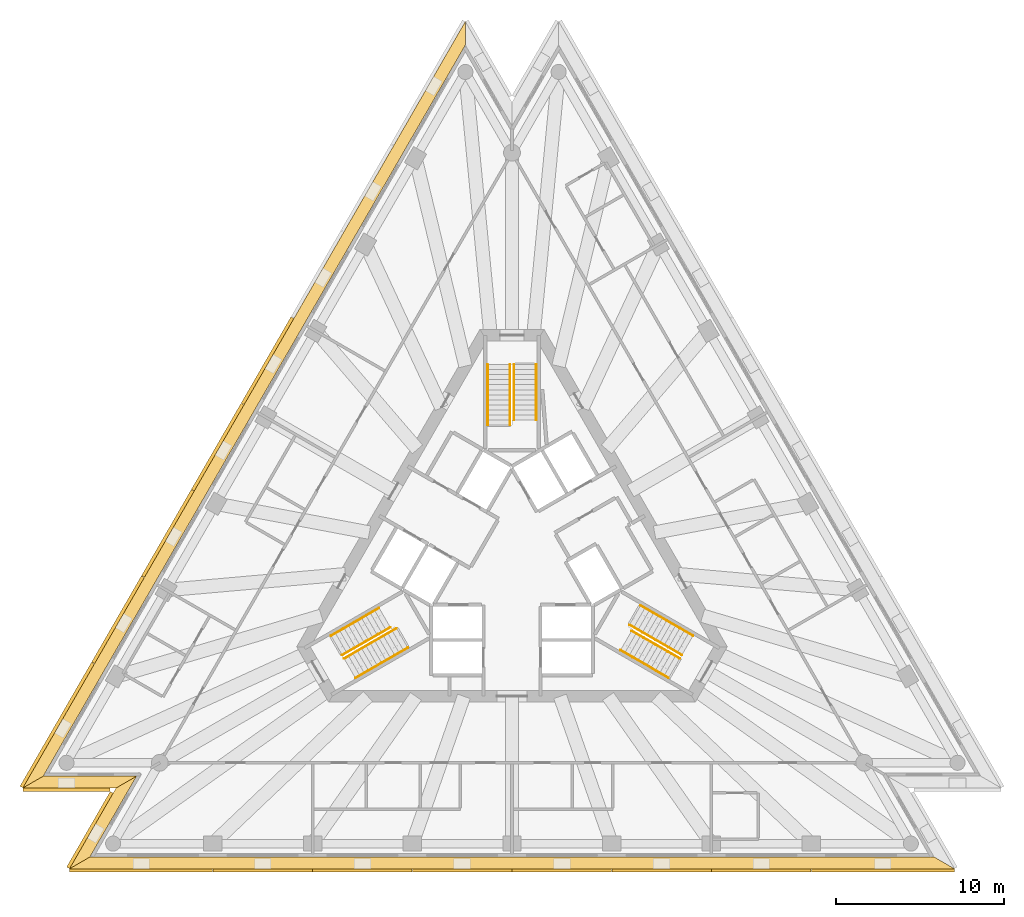
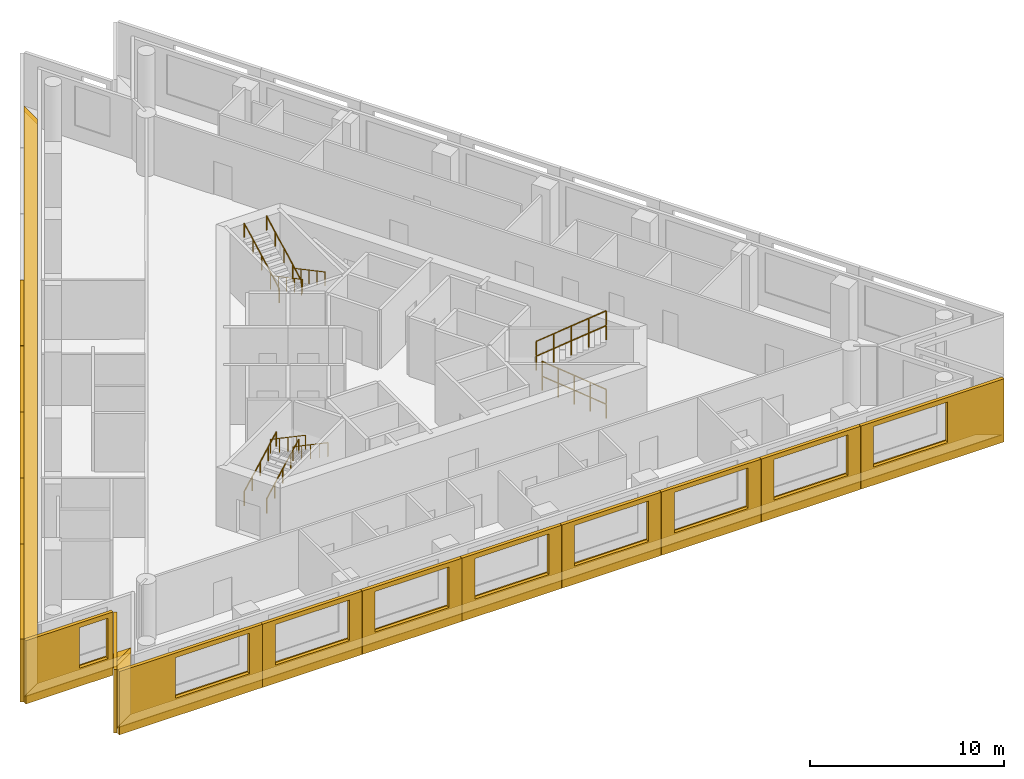
# One storey, part 8 of 9: 19 shading devices, 12 railings, 4 coverings, 3 elements without a shape of their own.
"""IFC4 building model written with IfcOpenShell, lengths in metres."""

from ifc_helpers import new_model, si_unit, direction, frame, origin, origin_2d, place, context, subcontext, project, spatial, polyline, circle, outline, extrude, material, layer, layer_set, layer_usage, type_object, element, aggregate, save


model = new_model("IFC4")

# Units and contexts
model_context = context("Model", 3, precision=1e-05, world=origin(), true_north=direction((0.0, 1.0)))
body_context = subcontext(model_context, "Body", "Model", "MODEL_VIEW")
ifc_project = project(units=[si_unit("LENGTHUNIT", "METRE"), si_unit("AREAUNIT", "SQUARE_METRE"), si_unit("VOLUMEUNIT", "CUBIC_METRE"), si_unit("PLANEANGLEUNIT", "RADIAN"), si_unit("MASSUNIT", "GRAM", prefix="KILO")], contexts=[model_context])

# Site, building, storey
site_placement = place(None, origin())
site = spatial("IfcSite", under=ifc_project, at=site_placement, CompositionType="ELEMENT")
building_placement = place(site_placement, origin())
building = spatial("IfcBuilding", under=site, at=building_placement, Name="Triada Interchange Tower", CompositionType="ELEMENT")
storey_placement = place(building_placement, frame((0.0, 0.0, 235.300048828125)))
storey = spatial("IfcBuildingStorey", under=building, at=storey_placement, Name="L55", CompositionType="ELEMENT", Elevation=235.300048828125)

# Coverings
ifc_material_1 = material(Name="Mineral fire-stop board")
ifc_layer_1 = layer(ifc_material_1, 0.0400390625, Name="Mineral fire-stop board")
ifc_material_2 = material(Name="Intumescent sealant")
ifc_layer_2 = layer(ifc_material_2, 0.010009765625, Name="Intumescent seal")
ifc_layer_set_1 = layer_set([ifc_layer_1, ifc_layer_2], Name="Cavity fire stop")
ifc_layer_usage = layer_usage(ifc_layer_set_1, "AXIS3", "POSITIVE", 0.0)
covering_type = type_object("IfcCoveringType", Name="Cavity fire stop", PredefinedType="INSULATION", material=ifc_layer_set_1)
covering_1_placement = place(storey_placement, origin())
element("IfcCovering", 1, at=covering_1_placement, inside=storey, type_object=covering_type, material=ifc_layer_usage, Name="Cavity fire stop L55 NW", PredefinedType="INSULATION", context=body_context, shape_type="SweptSolid", body=[
    extrude(outline(polyline([(-2.777099609375, 30.623046875), (-2.777099609375, 32.02294921875), (-29.1220703125, -13.60595703125), (-27.909912109375, -12.906005859375), (-2.777099609375, 30.623046875)])), origin(), (0.0, 0.0, 1.0), 0.050048828125),
])
covering_2_placement = place(storey_placement, origin())
element("IfcCovering", 2, at=covering_2_placement, inside=storey, type_object=covering_type, material=ifc_layer_usage, Name="Cavity fire stop L55 SW-1", PredefinedType="INSULATION", context=body_context, shape_type="SweptSolid", body=[
    extrude(outline(polyline([(-27.909912109375, -12.906005859375), (-29.1220703125, -13.60595703125), (-23.56689453125, -13.60595703125), (-22.35498046875, -12.906005859375), (-27.909912109375, -12.906005859375)])), origin(), (0.0, 0.0, 1.0), 0.050048828125),
])
covering_3_placement = place(storey_placement, origin())
element("IfcCovering", 3, at=covering_3_placement, inside=storey, type_object=covering_type, material=ifc_layer_usage, Name="Cavity fire stop L55 SW-2", PredefinedType="INSULATION", context=body_context, shape_type="SweptSolid", body=[
    extrude(outline(polyline([(-22.35498046875, -12.906005859375), (-23.56689453125, -13.60595703125), (-26.343994140625, -18.4169921875), (-25.132080078125, -17.717041015625), (-22.35498046875, -12.906005859375)])), origin(), (0.0, 0.0, 1.0), 0.050048828125),
])
covering_4_placement = place(storey_placement, origin())
element("IfcCovering", 4, at=covering_4_placement, inside=storey, type_object=covering_type, material=ifc_layer_usage, Name="Cavity fire stop L55 S", PredefinedType="INSULATION", context=body_context, shape_type="SweptSolid", body=[
    extrude(outline(polyline([(-25.132080078125, -17.717041015625), (-26.343994140625, -18.4169921875), (26.343994140625, -18.4169921875), (25.132080078125, -17.717041015625), (-25.132080078125, -17.717041015625)])), origin(), (0.0, 0.0, 1.0), 0.050048828125),
])

# Shading devices
ifc_material_3 = material(Name="Aluminium louvre", Category="aluminium")
shading_device_type_1 = type_object("IfcShadingDeviceType", Name="Cavity louvre grille", PredefinedType="JALOUSIE", material=ifc_material_3)
shading_device_1_placement = place(storey_placement, frame((0.0, 0.0, 0.050048828125)))
element("IfcShadingDevice", 5, at=shading_device_1_placement, inside=storey, type_object=shading_device_type_1, Name="Cavity louvre grille L55 NW", PredefinedType="JALOUSIE", context=body_context, shape_type="SweptSolid", body=[
    extrude(outline(polyline([(-2.777099609375, 30.623046875), (-2.777099609375, 32.02294921875), (-29.1220703125, -13.60595703125), (-27.909912109375, -12.906005859375), (-2.777099609375, 30.623046875)])), origin(), (0.0, 0.0, 1.0), 0.2998046875),
])
shading_device_2_placement = place(storey_placement, frame((0.0, 0.0, 0.050048828125)))
element("IfcShadingDevice", 6, at=shading_device_2_placement, inside=storey, type_object=shading_device_type_1, Name="Cavity louvre grille L55 SW-1", PredefinedType="JALOUSIE", context=body_context, shape_type="SweptSolid", body=[
    extrude(outline(polyline([(-27.909912109375, -12.906005859375), (-29.1220703125, -13.60595703125), (-23.56689453125, -13.60595703125), (-22.35498046875, -12.906005859375), (-27.909912109375, -12.906005859375)])), origin(), (0.0, 0.0, 1.0), 0.2998046875),
])
shading_device_3_placement = place(storey_placement, frame((0.0, 0.0, 0.050048828125)))
element("IfcShadingDevice", 7, at=shading_device_3_placement, inside=storey, type_object=shading_device_type_1, Name="Cavity louvre grille L55 SW-2", PredefinedType="JALOUSIE", context=body_context, shape_type="SweptSolid", body=[
    extrude(outline(polyline([(-22.35498046875, -12.906005859375), (-23.56689453125, -13.60595703125), (-26.343994140625, -18.4169921875), (-25.132080078125, -17.717041015625), (-22.35498046875, -12.906005859375)])), origin(), (0.0, 0.0, 1.0), 0.2998046875),
])
shading_device_4_placement = place(storey_placement, frame((0.0, 0.0, 0.050048828125)))
element("IfcShadingDevice", 8, at=shading_device_4_placement, inside=storey, type_object=shading_device_type_1, Name="Cavity louvre grille L55 S", PredefinedType="JALOUSIE", context=body_context, shape_type="SweptSolid", body=[
    extrude(outline(polyline([(-25.132080078125, -17.717041015625), (-26.343994140625, -18.4169921875), (26.343994140625, -18.4169921875), (25.132080078125, -17.717041015625), (-25.132080078125, -17.717041015625)])), origin(), (0.0, 0.0, 1.0), 0.2998046875),
])
ifc_material_4 = material(Name="Concrete C50/60 precast", Category="concrete")
ifc_layer_3 = layer(ifc_material_4, 0.02001953125, Name="Exposed aggregate face")
ifc_layer_4 = layer(ifc_material_4, 0.179931640625, Name="Precast concrete screen")
ifc_layer_set_2 = layer_set([ifc_layer_3, ifc_layer_4], Name="Outer skin screen panel 3980")
shading_device_type_2 = type_object("IfcShadingDeviceType", Name="Outer skin screen panel 3980", PredefinedType="SHUTTER", material=ifc_layer_set_2)
shading_device_5_placement = place(storey_placement, frame((-12.986083984375, 14.341064453125, -0.2900390625), z_axis=(0.0, 0.0, 1.0), x_axis=(-0.500079606793, -0.865979437902, 0.0)))
element("IfcShadingDevice", 9, at=shading_device_5_placement, inside=storey, type_object=shading_device_type_2, Name="Outer skin screen panel L55 04", PredefinedType="SHUTTER", context=body_context, shape_type="SweptSolid", body=[
    extrude(outline(polyline([(0.0, 0.0), (5.9169921875, 0.0), (5.9169921875, 3.97998046875), (0.0, 3.97998046875), (0.0, 0.0)]), holes=[polyline([(0.7578125, 1.139892578125), (0.7578125, 3.68994140625), (5.157958984375, 3.68994140625), (5.157958984375, 1.139892578125), (0.7578125, 1.139892578125)])]), frame((0.0, 0.0, 0.0), z_axis=(0.0, -1.0, 0.0), x_axis=(1.0, 0.0, 0.0)), (0.0, 0.0, 1.0), 0.199951171875),
])
shading_device_6_placement = place(storey_placement, frame((-15.955078125, 9.199951171875, -0.2900390625), z_axis=(0.0, 0.0, 1.0), x_axis=(-0.499955822529, -0.866050908157, 0.0)))
element("IfcShadingDevice", 10, at=shading_device_6_placement, inside=storey, type_object=shading_device_type_2, Name="Outer skin screen panel L55 05", PredefinedType="SHUTTER", context=body_context, shape_type="SweptSolid", body=[
    extrude(outline(polyline([(0.0, 0.0), (5.91650390625, 0.0), (5.91650390625, 3.97998046875), (0.0, 3.97998046875), (0.0, 0.0)]), holes=[polyline([(0.75830078125, 1.139892578125), (0.75830078125, 3.68994140625), (5.158447265625, 3.68994140625), (5.158447265625, 1.139892578125), (0.75830078125, 1.139892578125)])]), frame((0.0, 0.0, 0.0), z_axis=(0.0, -1.0, 0.0), x_axis=(1.0, 0.0, 0.0)), (0.0, 0.0, 1.0), 0.199951171875),
])
shading_device_7_placement = place(storey_placement, frame((-18.923095703125, 4.05908203125, -0.2900390625), z_axis=(0.0, 0.0, 1.0), x_axis=(-0.499955822529, -0.866050908157, 0.0)))
element("IfcShadingDevice", 11, at=shading_device_7_placement, inside=storey, type_object=shading_device_type_2, Name="Outer skin screen panel L55 06", PredefinedType="SHUTTER", context=body_context, shape_type="SweptSolid", body=[
    extrude(outline(polyline([(0.0, 0.0), (5.91650390625, 0.0), (5.91650390625, 3.97998046875), (0.0, 3.97998046875), (0.0, 0.0)]), holes=[polyline([(0.7578125, 1.139892578125), (0.7578125, 3.68994140625), (5.157958984375, 3.68994140625), (5.157958984375, 1.139892578125), (0.7578125, 1.139892578125)])]), frame((0.0, 0.0, 0.0), z_axis=(0.0, -1.0, 0.0), x_axis=(1.0, 0.0, 0.0)), (0.0, 0.0, 1.0), 0.199951171875),
])
shading_device_8_placement = place(storey_placement, frame((-21.89111328125, -1.08203125, -0.2900390625), z_axis=(0.0, 0.0, 1.0), x_axis=(-0.500079606793, -0.865979437902, 0.0)))
element("IfcShadingDevice", 12, at=shading_device_8_placement, inside=storey, type_object=shading_device_type_2, Name="Outer skin screen panel L55 07", PredefinedType="SHUTTER", context=body_context, shape_type="SweptSolid", body=[
    extrude(outline(polyline([(0.0, 0.0), (5.9169921875, 0.0), (5.9169921875, 3.97998046875), (0.0, 3.97998046875), (0.0, 0.0)]), holes=[polyline([(0.75830078125, 1.139892578125), (0.75830078125, 3.68994140625), (5.158203125, 3.68994140625), (5.158203125, 1.139892578125), (0.75830078125, 1.139892578125)])]), frame((0.0, 0.0, 0.0), z_axis=(0.0, -1.0, 0.0), x_axis=(1.0, 0.0, 0.0)), (0.0, 0.0, 1.0), 0.199951171875),
])
shading_device_9_placement = place(storey_placement, frame((-24.860107421875, -6.222900390625, -0.2900390625), z_axis=(0.0, 0.0, 1.0), x_axis=(-0.499950805595, -0.866053804324, 0.0)))
element("IfcShadingDevice", 13, at=shading_device_9_placement, inside=storey, type_object=shading_device_type_2, Name="Outer skin screen panel L55 08", PredefinedType="SHUTTER", context=body_context, shape_type="SweptSolid", body=[
    extrude(outline(polyline([(0.0, 0.0), (8.514404296875, 0.0), (8.514404296875, 3.97998046875), (0.0, 3.97998046875), (0.0, 0.0)]), holes=[polyline([(0.7578125, 1.139892578125), (0.7578125, 3.68994140625), (5.15771484375, 3.68994140625), (5.15771484375, 1.139892578125), (0.7578125, 1.139892578125)])]), frame((0.0, 0.0, 0.0), z_axis=(0.0, -1.0, 0.0), x_axis=(1.0, 0.0, 0.0)), (0.0, 0.0, 1.0), 0.199951171875),
])
shading_device_10_placement = place(storey_placement, frame((-29.112060546875, -13.60595703125, -0.2900390625), z_axis=(0.0, 0.0, 1.0), x_axis=(1.0, 0.0, 0.0)))
element("IfcShadingDevice", 14, at=shading_device_10_placement, inside=storey, type_object=shading_device_type_2, Name="Outer skin screen panel L55 09", PredefinedType="SHUTTER", context=body_context, shape_type="SweptSolid", body=[
    extrude(outline(polyline([(0.0, 0.0), (5.18896484375, 0.0), (5.18896484375, 3.97998046875), (0.0, 3.97998046875), (0.0, 0.0)]), holes=[polyline([(3.175048828125, 1.139892578125), (3.175048828125, 3.68994140625), (4.888916015625, 3.68994140625), (4.888916015625, 1.139892578125), (3.175048828125, 1.139892578125)])]), frame((0.0, 0.0, 0.0), z_axis=(0.0, -1.0, 0.0), x_axis=(1.0, 0.0, 0.0)), (0.0, 0.0, 1.0), 0.199951171875),
])
shading_device_11_placement = place(storey_placement, frame((-23.7451171875, -13.9140625, -0.2900390625), z_axis=(0.0, 0.0, 1.0), x_axis=(-0.499919314206, -0.866071982738, 0.0)))
element("IfcShadingDevice", 15, at=shading_device_11_placement, inside=storey, type_object=shading_device_type_2, Name="Outer skin screen panel L55 10", PredefinedType="SHUTTER", context=body_context, shape_type="SweptSolid", body=[
    extrude(outline(polyline([(0.0, 0.0), (5.188720703125, 0.0), (5.188720703125, 3.97998046875), (0.0, 3.97998046875), (0.0, 0.0)]), holes=[polyline([(0.300048828125, 1.139892578125), (0.300048828125, 3.68994140625), (1.758544921875, 3.68994140625), (1.758544921875, 1.139892578125), (0.300048828125, 1.139892578125)])]), frame((0.0, 0.0, 0.0), z_axis=(0.0, -1.0, 0.0), x_axis=(1.0, 0.0, 0.0)), (0.0, 0.0, 1.0), 0.199951171875),
])
shading_device_12_placement = place(storey_placement, frame((-26.333984375, -18.4169921875, -0.2900390625), z_axis=(0.0, 0.0, 1.0), x_axis=(1.0, 0.0, 0.0)))
element("IfcShadingDevice", 16, at=shading_device_12_placement, inside=storey, type_object=shading_device_type_2, Name="Outer skin screen panel L55 11", PredefinedType="SHUTTER", context=body_context, shape_type="SweptSolid", body=[
    extrude(outline(polyline([(0.0, 0.0), (8.514892578125, 0.0), (8.514892578125, 3.97998046875), (0.0, 3.97998046875), (0.0, 0.0)]), holes=[polyline([(3.35595703125, 1.139892578125), (3.35595703125, 3.68994140625), (7.756103515625, 3.68994140625), (7.756103515625, 1.139892578125), (3.35595703125, 1.139892578125)])]), frame((0.0, 0.0, 0.0), z_axis=(0.0, -1.0, 0.0), x_axis=(1.0, 0.0, 0.0)), (0.0, 0.0, 1.0), 0.199951171875),
])
shading_device_13_placement = place(storey_placement, frame((-17.800048828125, -18.4169921875, -0.2900390625), z_axis=(0.0, 0.0, 1.0), x_axis=(1.0, 0.0, 0.0)))
element("IfcShadingDevice", 17, at=shading_device_13_placement, inside=storey, type_object=shading_device_type_2, Name="Outer skin screen panel L55 12", PredefinedType="SHUTTER", context=body_context, shape_type="SweptSolid", body=[
    extrude(outline(polyline([(0.0, 0.0), (5.9169921875, 0.0), (5.9169921875, 3.97998046875), (0.0, 3.97998046875), (0.0, 0.0)]), holes=[polyline([(0.758544921875, 1.139892578125), (0.758544921875, 3.68994140625), (5.158447265625, 3.68994140625), (5.158447265625, 1.139892578125), (0.758544921875, 1.139892578125)])]), frame((0.0, 0.0, 0.0), z_axis=(0.0, -1.0, 0.0), x_axis=(1.0, 0.0, 0.0)), (0.0, 0.0, 1.0), 0.199951171875),
])
shading_device_14_placement = place(storey_placement, frame((-11.863037109375, -18.4169921875, -0.2900390625), z_axis=(0.0, 0.0, 1.0), x_axis=(1.0, 0.0, 0.0)))
element("IfcShadingDevice", 18, at=shading_device_14_placement, inside=storey, type_object=shading_device_type_2, Name="Outer skin screen panel L55 13", PredefinedType="SHUTTER", context=body_context, shape_type="SweptSolid", body=[
    extrude(outline(polyline([(0.0, 0.0), (5.9169921875, 0.0), (5.9169921875, 3.97998046875), (0.0, 3.97998046875), (0.0, 0.0)]), holes=[polyline([(0.758056640625, 1.139892578125), (0.758056640625, 3.68994140625), (5.157958984375, 3.68994140625), (5.157958984375, 1.139892578125), (0.758056640625, 1.139892578125)])]), frame((0.0, 0.0, 0.0), z_axis=(0.0, -1.0, 0.0), x_axis=(1.0, 0.0, 0.0)), (0.0, 0.0, 1.0), 0.199951171875),
])
shading_device_15_placement = place(storey_placement, frame((-5.926025390625, -18.4169921875, -0.2900390625), z_axis=(0.0, 0.0, 1.0), x_axis=(1.0, 0.0, 0.0)))
element("IfcShadingDevice", 19, at=shading_device_15_placement, inside=storey, type_object=shading_device_type_2, Name="Outer skin screen panel L55 14", PredefinedType="SHUTTER", context=body_context, shape_type="SweptSolid", body=[
    extrude(outline(polyline([(0.0, 0.0), (5.916015625, 0.0), (5.916015625, 3.97998046875), (0.0, 3.97998046875), (0.0, 0.0)]), holes=[polyline([(0.758544921875, 1.139892578125), (0.758544921875, 3.68994140625), (5.158447265625, 3.68994140625), (5.158447265625, 1.139892578125), (0.758544921875, 1.139892578125)])]), frame((0.0, 0.0, 0.0), z_axis=(0.0, -1.0, 0.0), x_axis=(1.0, 0.0, 0.0)), (0.0, 0.0, 1.0), 0.199951171875),
])
shading_device_16_placement = place(storey_placement, frame((0.010009765625, -18.4169921875, -0.2900390625), z_axis=(0.0, 0.0, 1.0), x_axis=(1.0, 0.0, 0.0)))
element("IfcShadingDevice", 20, at=shading_device_16_placement, inside=storey, type_object=shading_device_type_2, Name="Outer skin screen panel L55 15", PredefinedType="SHUTTER", context=body_context, shape_type="SweptSolid", body=[
    extrude(outline(polyline([(0.0, 0.0), (5.916015625, 0.0), (5.916015625, 3.97998046875), (0.0, 3.97998046875), (0.0, 0.0)]), holes=[polyline([(0.758056640625, 1.139892578125), (0.758056640625, 3.68994140625), (5.157958984375, 3.68994140625), (5.157958984375, 1.139892578125), (0.758056640625, 1.139892578125)])]), frame((0.0, 0.0, 0.0), z_axis=(0.0, -1.0, 0.0), x_axis=(1.0, 0.0, 0.0)), (0.0, 0.0, 1.0), 0.199951171875),
])
shading_device_17_placement = place(storey_placement, frame((5.946044921875, -18.4169921875, -0.2900390625), z_axis=(0.0, 0.0, 1.0), x_axis=(1.0, 0.0, 0.0)))
element("IfcShadingDevice", 21, at=shading_device_17_placement, inside=storey, type_object=shading_device_type_2, Name="Outer skin screen panel L55 16", PredefinedType="SHUTTER", context=body_context, shape_type="SweptSolid", body=[
    extrude(outline(polyline([(0.0, 0.0), (5.9169921875, 0.0), (5.9169921875, 3.97998046875), (0.0, 3.97998046875), (0.0, 0.0)]), holes=[polyline([(0.758544921875, 1.139892578125), (0.758544921875, 3.68994140625), (5.158447265625, 3.68994140625), (5.158447265625, 1.139892578125), (0.758544921875, 1.139892578125)])]), frame((0.0, 0.0, 0.0), z_axis=(0.0, -1.0, 0.0), x_axis=(1.0, 0.0, 0.0)), (0.0, 0.0, 1.0), 0.199951171875),
])
shading_device_18_placement = place(storey_placement, frame((11.883056640625, -18.4169921875, -0.2900390625), z_axis=(0.0, 0.0, 1.0), x_axis=(1.0, 0.0, 0.0)))
element("IfcShadingDevice", 22, at=shading_device_18_placement, inside=storey, type_object=shading_device_type_2, Name="Outer skin screen panel L55 17", PredefinedType="SHUTTER", context=body_context, shape_type="SweptSolid", body=[
    extrude(outline(polyline([(0.0, 0.0), (5.916015625, 0.0), (5.916015625, 3.97998046875), (0.0, 3.97998046875), (0.0, 0.0)]), holes=[polyline([(0.758056640625, 1.139892578125), (0.758056640625, 3.68994140625), (5.157958984375, 3.68994140625), (5.157958984375, 1.139892578125), (0.758056640625, 1.139892578125)])]), frame((0.0, 0.0, 0.0), z_axis=(0.0, -1.0, 0.0), x_axis=(1.0, 0.0, 0.0)), (0.0, 0.0, 1.0), 0.199951171875),
])
shading_device_19_placement = place(storey_placement, frame((17.819091796875, -18.4169921875, -0.2900390625), z_axis=(0.0, 0.0, 1.0), x_axis=(1.0, 0.0, 0.0)))
element("IfcShadingDevice", 23, at=shading_device_19_placement, inside=storey, type_object=shading_device_type_2, Name="Outer skin screen panel L55 18", PredefinedType="SHUTTER", context=body_context, shape_type="SweptSolid", body=[
    extrude(outline(polyline([(0.0, 0.0), (8.514892578125, 0.0), (8.514892578125, 3.97998046875), (0.0, 3.97998046875), (0.0, 0.0)]), holes=[polyline([(0.758544921875, 1.139892578125), (0.758544921875, 3.68994140625), (5.158447265625, 3.68994140625), (5.158447265625, 1.139892578125), (0.758544921875, 1.139892578125)])]), frame((0.0, 0.0, 0.0), z_axis=(0.0, -1.0, 0.0), x_axis=(1.0, 0.0, 0.0)), (0.0, 0.0, 1.0), 0.199951171875),
])

# Stair, railings
ifc_material_5 = material(Name="Concrete C35/45", Category="concrete")
stair_type = type_object("IfcStairType", Name="HALF TURN STAIR 1400", PredefinedType="HALF_TURN_STAIR", material=ifc_material_5)
stair_1_placement = place(storey_placement, origin())
stair_1 = element("IfcStair", 24, at=stair_1_placement, inside=storey, type_object=stair_type, Name="Exit stair S53-1", PredefinedType="HALF_TURN_STAIR")
ifc_material_6 = material(Name="Stainless steel 1.4301", Category="steel")
railing_type = type_object("IfcRailingType", Name="STAIR HANDRAIL 900", PredefinedType="HANDRAIL", material=ifc_material_6)
railing_1_placement = place(storey_placement, frame((1.449951171875, 11.60009765625, 0.159912109375)))
railing_1 = element("IfcRailing", 25, at=railing_1_placement, type_object=railing_type, Name="Handrail S53-1 1W", PredefinedType="HANDRAIL", context=body_context, shape_type="SweptSolid", body=[
    extrude(circle(Radius=0.02392578125, at=origin_2d()), frame((0.0, 0.0, 0.8759765625), z_axis=(0.0, -0.882354748157, 0.47058484719), x_axis=(1.0, 0.0, 0.0)), (0.0, 0.0, 1.0), 3.739990234375),
    extrude(circle(Radius=0.02099609375, at=origin_2d()), origin(), (0.0, 0.0, 1.0), 0.851806640625),
    extrude(circle(Radius=0.02099609375, at=origin_2d()), frame((0.0, -0.824951171875, 0.43994140625)), (0.0, 0.0, 1.0), 0.851806640625),
    extrude(circle(Radius=0.02099609375, at=origin_2d()), frame((0.0, -1.64990234375, 0.8798828125)), (0.0, 0.0, 1.0), 0.851806640625),
    extrude(circle(Radius=0.02099609375, at=origin_2d()), frame((0.0, -2.47509765625, 1.320068359375)), (0.0, 0.0, 1.0), 0.851806640625),
    extrude(circle(Radius=0.02099609375, at=origin_2d()), frame((0.0, -3.300048828125, 1.760009765625)), (0.0, 0.0, 1.0), 0.851806640625),
])
railing_2_placement = place(storey_placement, frame((0.1201171875, 11.60009765625, 0.159912109375)))
railing_2 = element("IfcRailing", 26, at=railing_2_placement, type_object=railing_type, Name="Handrail S53-1 1C", PredefinedType="HANDRAIL", context=body_context, shape_type="SweptSolid", body=[
    extrude(circle(Radius=0.02392578125, at=origin_2d()), frame((0.0, 0.0, 0.8759765625), z_axis=(0.0, -0.882354748157, 0.47058484719), x_axis=(1.0, 0.0, 0.0)), (0.0, 0.0, 1.0), 3.739990234375),
    extrude(circle(Radius=0.02099609375, at=origin_2d()), origin(), (0.0, 0.0, 1.0), 0.851806640625),
    extrude(circle(Radius=0.02099609375, at=origin_2d()), frame((0.0, -0.824951171875, 0.43994140625)), (0.0, 0.0, 1.0), 0.851806640625),
    extrude(circle(Radius=0.02099609375, at=origin_2d()), frame((0.0, -1.64990234375, 0.8798828125)), (0.0, 0.0, 1.0), 0.851806640625),
    extrude(circle(Radius=0.02099609375, at=origin_2d()), frame((0.0, -2.47509765625, 1.320068359375)), (0.0, 0.0, 1.0), 0.851806640625),
    extrude(circle(Radius=0.02099609375, at=origin_2d()), frame((0.0, -3.300048828125, 1.760009765625)), (0.0, 0.0, 1.0), 0.851806640625),
])
railing_3_placement = place(storey_placement, frame((-1.449951171875, 8.0, 2.079833984375)))
railing_3 = element("IfcRailing", 27, at=railing_3_placement, type_object=railing_type, Name="Handrail S53-1 2W", PredefinedType="HANDRAIL", context=body_context, shape_type="SweptSolid", body=[
    extrude(circle(Radius=0.02392578125, at=origin_2d()), frame((0.0, 0.0, 0.8759765625), z_axis=(0.0, 0.882341346394, 0.470609974867), x_axis=(-1.0, 0.0, 0.0)), (0.0, 0.0, 1.0), 4.080078125),
    extrude(circle(Radius=0.02099609375, at=origin_2d()), origin(), (0.0, 0.0, 1.0), 0.851806640625),
    extrude(circle(Radius=0.02099609375, at=origin_2d()), frame((0.0, 0.89990234375, 0.47998046875)), (0.0, 0.0, 1.0), 0.851806640625),
    extrude(circle(Radius=0.02099609375, at=origin_2d()), frame((0.0, 1.800048828125, 0.9599609375)), (0.0, 0.0, 1.0), 0.851806640625),
    extrude(circle(Radius=0.02099609375, at=origin_2d()), frame((0.0, 2.7001953125, 1.440185546875)), (0.0, 0.0, 1.0), 0.851806640625),
    extrude(circle(Radius=0.02099609375, at=origin_2d()), frame((0.0, 3.60009765625, 1.920166015625)), (0.0, 0.0, 1.0), 0.851806640625),
])
railing_4_placement = place(storey_placement, frame((-0.1201171875, 8.0, 2.079833984375)))
railing_4 = element("IfcRailing", 28, at=railing_4_placement, type_object=railing_type, Name="Handrail S53-1 2C", PredefinedType="HANDRAIL", context=body_context, shape_type="SweptSolid", body=[
    extrude(circle(Radius=0.02392578125, at=origin_2d()), frame((0.0, 0.0, 0.8759765625), z_axis=(0.0, 0.882341346394, 0.470609974867), x_axis=(-1.0, 0.0, 0.0)), (0.0, 0.0, 1.0), 4.080078125),
    extrude(circle(Radius=0.02099609375, at=origin_2d()), origin(), (0.0, 0.0, 1.0), 0.851806640625),
    extrude(circle(Radius=0.02099609375, at=origin_2d()), frame((0.0, 0.89990234375, 0.47998046875)), (0.0, 0.0, 1.0), 0.851806640625),
    extrude(circle(Radius=0.02099609375, at=origin_2d()), frame((0.0, 1.800048828125, 0.9599609375)), (0.0, 0.0, 1.0), 0.851806640625),
    extrude(circle(Radius=0.02099609375, at=origin_2d()), frame((0.0, 2.7001953125, 1.440185546875)), (0.0, 0.0, 1.0), 0.851806640625),
    extrude(circle(Radius=0.02099609375, at=origin_2d()), frame((0.0, 3.60009765625, 1.920166015625)), (0.0, 0.0, 1.0), 0.851806640625),
])
aggregate(stair_1, [railing_1, railing_2, railing_3, railing_4])

stair_2_placement = place(storey_placement, origin())
stair_2 = element("IfcStair", 29, at=stair_2_placement, inside=storey, type_object=stair_type, Name="Exit stair S53-2", PredefinedType="HALF_TURN_STAIR")
railing_5_placement = place(storey_placement, frame((-10.77099609375, -4.5439453125, 0.159912109375)))
railing_5 = element("IfcRailing", 30, at=railing_5_placement, type_object=railing_type, Name="Handrail S53-2 1W", PredefinedType="HANDRAIL", context=body_context, shape_type="SweptSolid", body=[
    extrude(circle(Radius=0.02392578125, at=origin_2d()), frame((0.0, 0.0, 0.8759765625), z_axis=(0.764150854273, 0.441152526326, 0.470593158077), x_axis=(-0.499974350878, 0.866040211805, 0.0)), (0.0, 0.0, 1.0), 3.739990234375),
    extrude(circle(Radius=0.02099609375, at=origin_2d()), origin(), (0.0, 0.0, 1.0), 0.851806640625),
    extrude(circle(Radius=0.02099609375, at=origin_2d()), frame((0.71435546875, 0.41259765625, 0.43994140625)), (0.0, 0.0, 1.0), 0.851806640625),
    extrude(circle(Radius=0.02099609375, at=origin_2d()), frame((1.428955078125, 0.824951171875, 0.8798828125)), (0.0, 0.0, 1.0), 0.851806640625),
    extrude(circle(Radius=0.02099609375, at=origin_2d()), frame((2.1435546875, 1.2373046875, 1.320068359375)), (0.0, 0.0, 1.0), 0.851806640625),
    extrude(circle(Radius=0.02099609375, at=origin_2d()), frame((2.85791015625, 1.64990234375, 1.760009765625)), (0.0, 0.0, 1.0), 0.851806640625),
])
railing_6_placement = place(storey_placement, frame((-10.10595703125, -5.696044921875, 0.159912109375)))
railing_6 = element("IfcRailing", 31, at=railing_6_placement, type_object=railing_type, Name="Handrail S53-2 1C", PredefinedType="HANDRAIL", context=body_context, shape_type="SweptSolid", body=[
    extrude(circle(Radius=0.02392578125, at=origin_2d()), frame((0.0, 0.0, 0.8759765625), z_axis=(0.76412884773, 0.441205098395, 0.470579605611), x_axis=(-0.50002983664, 0.866008176907, 0.0)), (0.0, 0.0, 1.0), 3.739990234375),
    extrude(circle(Radius=0.02099609375, at=origin_2d()), origin(), (0.0, 0.0, 1.0), 0.851806640625),
    extrude(circle(Radius=0.02099609375, at=origin_2d()), frame((0.71435546875, 0.41259765625, 0.43994140625)), (0.0, 0.0, 1.0), 0.851806640625),
    extrude(circle(Radius=0.02099609375, at=origin_2d()), frame((1.428955078125, 0.8251953125, 0.8798828125)), (0.0, 0.0, 1.0), 0.851806640625),
    extrude(circle(Radius=0.02099609375, at=origin_2d()), frame((2.1435546875, 1.237548828125, 1.320068359375)), (0.0, 0.0, 1.0), 0.851806640625),
    extrude(circle(Radius=0.02099609375, at=origin_2d()), frame((2.85791015625, 1.650146484375, 1.760009765625)), (0.0, 0.0, 1.0), 0.851806640625),
])
railing_7_placement = place(storey_placement, frame((-6.202880859375, -5.256103515625, 2.079833984375)))
railing_7 = element("IfcRailing", 32, at=railing_7_placement, type_object=railing_type, Name="Handrail S53-2 2W", PredefinedType="HANDRAIL", context=body_context, shape_type="SweptSolid", body=[
    extrude(circle(Radius=0.02392578125, at=origin_2d()), frame((0.0, 0.0, 0.8759765625), z_axis=(-0.764189758314, -0.441090424232, 0.470588196769), x_axis=(0.499902469156, -0.866081705922, 0.0)), (0.0, 0.0, 1.0), 4.080322265625),
    extrude(circle(Radius=0.02099609375, at=origin_2d()), origin(), (0.0, 0.0, 1.0), 0.851806640625),
    extrude(circle(Radius=0.02099609375, at=origin_2d()), frame((-0.779541015625, -0.449951171875, 0.47998046875)), (0.0, 0.0, 1.0), 0.851806640625),
    extrude(circle(Radius=0.02099609375, at=origin_2d()), frame((-1.55908203125, -0.89990234375, 0.9599609375)), (0.0, 0.0, 1.0), 0.851806640625),
    extrude(circle(Radius=0.02099609375, at=origin_2d()), frame((-2.338623046875, -1.349853515625, 1.440185546875)), (0.0, 0.0, 1.0), 0.851806640625),
    extrude(circle(Radius=0.02099609375, at=origin_2d()), frame((-3.1181640625, -1.7998046875, 1.920166015625)), (0.0, 0.0, 1.0), 0.851806640625),
])
railing_8_placement = place(storey_placement, frame((-6.867919921875, -4.10400390625, 2.079833984375)))
railing_8 = element("IfcRailing", 33, at=railing_8_placement, type_object=railing_type, Name="Handrail S53-2 2C", PredefinedType="HANDRAIL", context=body_context, shape_type="SweptSolid", body=[
    extrude(circle(Radius=0.02392578125, at=origin_2d()), frame((0.0, 0.0, 0.8759765625), z_axis=(-0.764169589359, -0.441138614339, 0.470575776723), x_axis=(0.49995333141, -0.866052346231, 0.0)), (0.0, 0.0, 1.0), 4.08056640625),
    extrude(circle(Radius=0.02099609375, at=origin_2d()), origin(), (0.0, 0.0, 1.0), 0.851806640625),
    extrude(circle(Radius=0.02099609375, at=origin_2d()), frame((-0.779541015625, -0.449951171875, 0.47998046875)), (0.0, 0.0, 1.0), 0.851806640625),
    extrude(circle(Radius=0.02099609375, at=origin_2d()), frame((-1.55908203125, -0.89990234375, 0.9599609375)), (0.0, 0.0, 1.0), 0.851806640625),
    extrude(circle(Radius=0.02099609375, at=origin_2d()), frame((-2.338623046875, -1.35009765625, 1.440185546875)), (0.0, 0.0, 1.0), 0.851806640625),
    extrude(circle(Radius=0.02099609375, at=origin_2d()), frame((-3.1181640625, -1.800048828125, 1.920166015625)), (0.0, 0.0, 1.0), 0.851806640625),
])
aggregate(stair_2, [railing_5, railing_6, railing_7, railing_8])

stair_3_placement = place(storey_placement, origin())
stair_3 = element("IfcStair", 34, at=stair_3_placement, inside=storey, type_object=stair_type, Name="Exit stair S53-3", PredefinedType="HALF_TURN_STAIR")
railing_9_placement = place(storey_placement, frame((9.321044921875, -7.055908203125, 0.159912109375)))
railing_9 = element("IfcRailing", 35, at=railing_9_placement, type_object=railing_type, Name="Handrail S53-3 1W", PredefinedType="HANDRAIL", context=body_context, shape_type="SweptSolid", body=[
    extrude(circle(Radius=0.02392578125, at=origin_2d()), frame((0.0, 0.0, 0.8759765625), z_axis=(-0.764178012919, 0.441130521168, 0.470569684388), x_axis=(-0.499942318283, -0.866058703778, 0.0)), (0.0, 0.0, 1.0), 3.740234375),
    extrude(circle(Radius=0.02099609375, at=origin_2d()), origin(), (0.0, 0.0, 1.0), 0.851806640625),
    extrude(circle(Radius=0.02099609375, at=origin_2d()), frame((-0.714599609375, 0.41259765625, 0.43994140625)), (0.0, 0.0, 1.0), 0.851806640625),
    extrude(circle(Radius=0.02099609375, at=origin_2d()), frame((-1.42919921875, 0.824951171875, 0.8798828125)), (0.0, 0.0, 1.0), 0.851806640625),
    extrude(circle(Radius=0.02099609375, at=origin_2d()), frame((-2.1435546875, 1.2373046875, 1.320068359375)), (0.0, 0.0, 1.0), 0.851806640625),
    extrude(circle(Radius=0.02099609375, at=origin_2d()), frame((-2.858154296875, 1.64990234375, 1.760009765625)), (0.0, 0.0, 1.0), 0.851806640625),
])
railing_10_placement = place(storey_placement, frame((9.986083984375, -5.904052734375, 0.159912109375)))
railing_10 = element("IfcRailing", 36, at=railing_10_placement, type_object=railing_type, Name="Handrail S53-3 1C", PredefinedType="HANDRAIL", context=body_context, shape_type="SweptSolid", body=[
    extrude(circle(Radius=0.02392578125, at=origin_2d()), frame((0.0, 0.0, 0.8759765625), z_axis=(-0.764156007789, 0.441183091881, 0.47055613395), x_axis=(-0.49999780286, -0.8660266723, 0.0)), (0.0, 0.0, 1.0), 3.740234375),
    extrude(circle(Radius=0.02099609375, at=origin_2d()), origin(), (0.0, 0.0, 1.0), 0.851806640625),
    extrude(circle(Radius=0.02099609375, at=origin_2d()), frame((-0.714599609375, 0.41259765625, 0.43994140625)), (0.0, 0.0, 1.0), 0.851806640625),
    extrude(circle(Radius=0.02099609375, at=origin_2d()), frame((-1.42919921875, 0.8251953125, 0.8798828125)), (0.0, 0.0, 1.0), 0.851806640625),
    extrude(circle(Radius=0.02099609375, at=origin_2d()), frame((-2.1435546875, 1.237548828125, 1.320068359375)), (0.0, 0.0, 1.0), 0.851806640625),
    extrude(circle(Radius=0.02099609375, at=origin_2d()), frame((-2.858154296875, 1.650146484375, 1.760009765625)), (0.0, 0.0, 1.0), 0.851806640625),
])
railing_11_placement = place(storey_placement, frame((7.653076171875, -2.743896484375, 2.079833984375)))
railing_11 = element("IfcRailing", 37, at=railing_11_placement, type_object=railing_type, Name="Handrail S53-3 2W", PredefinedType="HANDRAIL", context=body_context, shape_type="SweptSolid", body=[
    extrude(circle(Radius=0.02392578125, at=origin_2d()), frame((0.0, 0.0, 0.8759765625), z_axis=(0.76414469501, -0.441158784458, 0.470597292793), x_axis=(0.499982693035, 0.866035395735, 0.0)), (0.0, 0.0, 1.0), 4.080322265625),
    extrude(circle(Radius=0.02099609375, at=origin_2d()), origin(), (0.0, 0.0, 1.0), 0.851806640625),
    extrude(circle(Radius=0.02099609375, at=origin_2d()), frame((0.779541015625, -0.449951171875, 0.47998046875)), (0.0, 0.0, 1.0), 0.851806640625),
    extrude(circle(Radius=0.02099609375, at=origin_2d()), frame((1.55908203125, -0.89990234375, 0.9599609375)), (0.0, 0.0, 1.0), 0.851806640625),
    extrude(circle(Radius=0.02099609375, at=origin_2d()), frame((2.33837890625, -1.35009765625, 1.440185546875)), (0.0, 0.0, 1.0), 0.851806640625),
    extrude(circle(Radius=0.02099609375, at=origin_2d()), frame((3.117919921875, -1.800048828125, 1.920166015625)), (0.0, 0.0, 1.0), 0.851806640625),
])
railing_12_placement = place(storey_placement, frame((6.988037109375, -3.89599609375, 2.079833984375)))
railing_12 = element("IfcRailing", 38, at=railing_12_placement, type_object=railing_type, Name="Handrail S53-3 2C", PredefinedType="HANDRAIL", context=body_context, shape_type="SweptSolid", body=[
    extrude(circle(Radius=0.02392578125, at=origin_2d()), frame((0.0, 0.0, 0.8759765625), z_axis=(0.76414469501, -0.441158784458, 0.470597292793), x_axis=(0.499982693035, 0.866035395735, 0.0)), (0.0, 0.0, 1.0), 4.080322265625),
    extrude(circle(Radius=0.02099609375, at=origin_2d()), origin(), (0.0, 0.0, 1.0), 0.851806640625),
    extrude(circle(Radius=0.02099609375, at=origin_2d()), frame((0.779541015625, -0.449951171875, 0.47998046875)), (0.0, 0.0, 1.0), 0.851806640625),
    extrude(circle(Radius=0.02099609375, at=origin_2d()), frame((1.55908203125, -0.89990234375, 0.9599609375)), (0.0, 0.0, 1.0), 0.851806640625),
    extrude(circle(Radius=0.02099609375, at=origin_2d()), frame((2.33837890625, -1.35009765625, 1.440185546875)), (0.0, 0.0, 1.0), 0.851806640625),
    extrude(circle(Radius=0.02099609375, at=origin_2d()), frame((3.117919921875, -1.800048828125, 1.920166015625)), (0.0, 0.0, 1.0), 0.851806640625),
])
aggregate(stair_3, [railing_9, railing_10, railing_11, railing_12])

save(model, "model.ifc")
